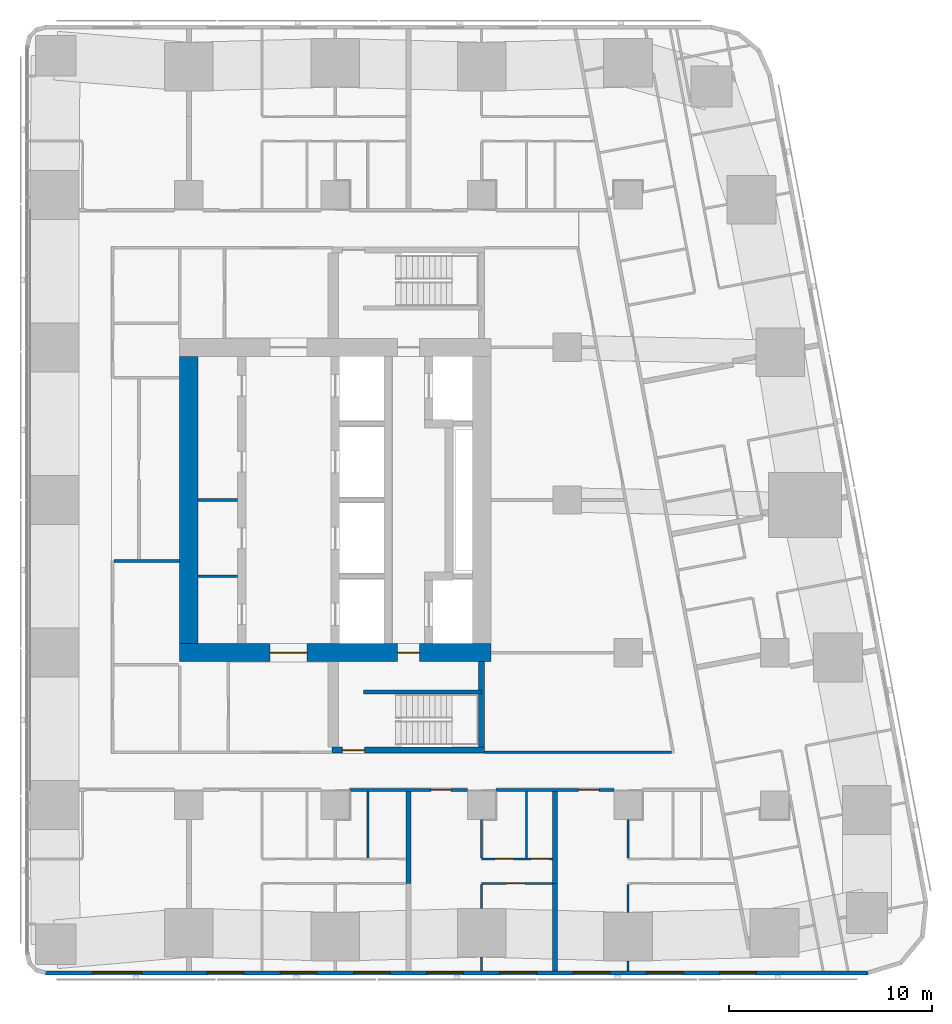
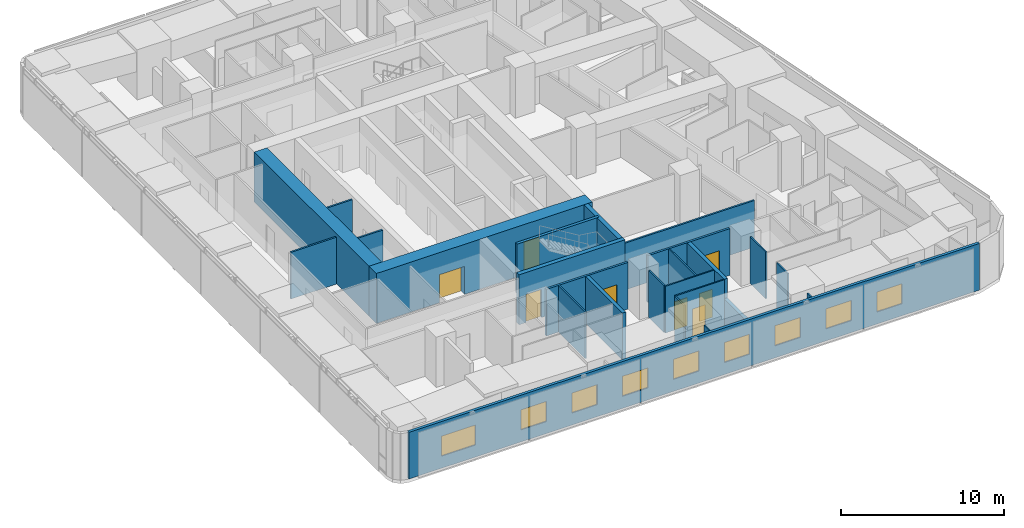
# One storey, part 11 of 19: 25 walls, 9 windows, 8 doors, 17 openings.
"""IFC4 building model written with IfcOpenShell, lengths in metres."""

from ifc_helpers import new_model, si_unit, direction, frame, frame_2d, origin, place, context, subcontext, project, spatial, rectangle, extrude, material, layer, layer_set, type_object, element, fill, save


model = new_model("IFC4")

# Units and contexts
model_context = context("Model", 3, precision=1e-05, world=origin(), true_north=direction((0.0, 1.0)))
body_context = subcontext(model_context, "Body", "Model", "MODEL_VIEW")
ifc_project = project(units=[si_unit("LENGTHUNIT", "METRE"), si_unit("AREAUNIT", "SQUARE_METRE"), si_unit("VOLUMEUNIT", "CUBIC_METRE"), si_unit("PLANEANGLEUNIT", "RADIAN"), si_unit("MASSUNIT", "GRAM", prefix="KILO")], contexts=[model_context])

# Site, building, storey
site_placement = place(None, origin())
site = spatial("IfcSite", under=ifc_project, at=site_placement, CompositionType="ELEMENT")
building_placement = place(site_placement, origin())
building = spatial("IfcBuilding", under=site, at=building_placement, Name="Sheger Commons Tower", CompositionType="ELEMENT")
storey_placement = place(building_placement, frame((0.0, 0.0, 219.949951171875)))
storey = spatial("IfcBuildingStorey", under=building, at=storey_placement, Name="L56", CompositionType="ELEMENT", Elevation=219.949951171875)

# Wall, openings, doors
ifc_material_1 = material(Name="Concrete C50/60", Category="concrete")
ifc_layer_1 = layer(ifc_material_1, 0.89990234375)
ifc_layer_set_1 = layer_set([ifc_layer_1], Name="CORE WALL 900")
wall_type_1 = type_object("IfcWallType", Name="CORE WALL 900", PredefinedType="SHEAR", material=ifc_layer_set_1)
wall_1_placement = place(storey_placement, frame((13.949951171875, 15.0, 0.0), z_axis=(0.0, 0.0, 1.0), x_axis=(1.0, 0.0, 0.0)))
wall_1 = element("IfcWall", 1, at=wall_1_placement, inside=storey, type_object=wall_type_1, Name="Core wall south L56", PredefinedType="SHEAR", context=body_context, shape_type="SweptSolid", body=[
    extrude(rectangle(XDim=15.300048828125, YDim=0.89990234375, at=frame_2d((7.64990234375, 0.0))), origin(), (0.0, 0.0, 1.0), 3.75),
])
opening_1_placement = place(wall_1_placement, frame((4.449951171875, 0.0, 0.0)))
opening_1 = element("IfcOpeningElement", 2, at=opening_1_placement, cuts=wall_1, Name="Opening D6", PredefinedType="OPENING", context=body_context, shape_type="SweptSolid", body=[
    extrude(rectangle(XDim=1.800048828125, YDim=2.10009765625, at=frame_2d((0.89990234375, 1.050048828125))), frame((0.0, 0.4599609375, 0.0), z_axis=(0.0, -1.0, 0.0), x_axis=(1.0, 0.0, 0.0)), (0.0, 0.0, 1.0), 0.919921875),
])
opening_2_placement = place(wall_1_placement, frame((10.699951171875, 0.0, 0.0)))
opening_2 = element("IfcOpeningElement", 3, at=opening_2_placement, cuts=wall_1, Name="Opening D5", PredefinedType="OPENING", context=body_context, shape_type="SweptSolid", body=[
    extrude(rectangle(XDim=1.10009765625, YDim=2.10009765625, at=frame_2d((0.550048828125, 1.050048828125))), frame((0.0, 0.4599609375, 0.0), z_axis=(0.0, -1.0, 0.0), x_axis=(1.0, 0.0, 0.0)), (0.0, 0.0, 1.0), 0.919921875),
])
ifc_material_2 = material(Name="Steel door set, fire rated", Category="steel")
door_type_1 = type_object("IfcDoorType", Name="LOBBY DOUBLE DOOR 1800x2100", OperationType="DOUBLE_DOOR_SINGLE_SWING", PredefinedType="DOOR", material=ifc_material_2)
door_1_placement = place(opening_1_placement, origin())
door_1 = element("IfcDoor", 4, at=door_1_placement, inside=storey, type_object=door_type_1, Name="Lift lobby door", OperationType="DOUBLE_DOOR_SINGLE_SWING", OverallHeight=2.10009765625, OverallWidth=1.800048828125, PredefinedType="DOOR", context=body_context, shape_type="SweptSolid", body=[
    extrude(rectangle(XDim=1.800048828125, YDim=2.10009765625, at=frame_2d((0.89990234375, 1.050048828125))), frame((0.0, 0.02490234375, 0.0), z_axis=(0.0, -1.0, 0.0), x_axis=(1.0, 0.0, 0.0)), (0.0, 0.0, 1.0), 0.050048828125),
])
fill(opening_1, door_1)
ifc_material_3 = material(Name="Steel door set, fire rated", Category="steel")
door_type_2 = type_object("IfcDoorType", Name="STAIR DOOR 1100x2100", OperationType="NOTDEFINED", PredefinedType="DOOR", material=ifc_material_3)
door_2_placement = place(opening_2_placement, origin())
door_2 = element("IfcDoor", 5, at=door_2_placement, inside=storey, type_object=door_type_2, Name="Fire-fighting lobby door", OperationType="SINGLE_SWING_LEFT", OverallHeight=2.10009765625, OverallWidth=1.10009765625, PredefinedType="DOOR", context=body_context, shape_type="SweptSolid", body=[
    extrude(rectangle(XDim=1.10009765625, YDim=2.10009765625, at=frame_2d((0.550048828125, 1.050048828125))), frame((0.0, 0.02490234375, 0.0), z_axis=(0.0, -1.0, 0.0), x_axis=(1.0, 0.0, 0.0)), (0.0, 0.0, 1.0), 0.050048828125),
])
fill(opening_2, door_2)

# Wall
wall_2_placement = place(storey_placement, frame((14.39990234375, 15.449951171875, 0.0), z_axis=(0.0, 0.0, 1.0), x_axis=(0.0, 1.0, 0.0)))
element("IfcWall", 6, at=wall_2_placement, inside=storey, type_object=wall_type_1, Name="Core wall west L56", PredefinedType="SHEAR", context=body_context, shape_type="SweptSolid", body=[
    extrude(rectangle(XDim=14.10009765625, YDim=0.89990234375, at=frame_2d((7.050048828125, 0.0))), origin(), (0.0, 0.0, 1.0), 3.75),
])

# Wall, opening, door
ifc_material_4 = material(Name="Hollow concrete block masonry, skimmed both sides", Category="masonry")
ifc_layer_2 = layer(ifc_material_4, 0.14990234375)
ifc_layer_set_2 = layer_set([ifc_layer_2], Name="CORRIDOR WALL 150")
wall_type_2 = type_object("IfcWallType", Name="CORRIDOR WALL 150", PredefinedType="SOLIDWALL", material=ifc_layer_set_2)
wall_3_placement = place(storey_placement, frame((35.299072265625, 8.25, 0.0), z_axis=(0.0, 0.0, 1.0), x_axis=(-1.0, 0.0, 0.0)))
wall_3 = element("IfcWall", 7, at=wall_3_placement, inside=storey, type_object=wall_type_2, Name="Corridor wall L56", PredefinedType="SOLIDWALL", context=body_context, shape_type="SweptSolid", body=[
    extrude(rectangle(XDim=5.798095703125, YDim=0.14990234375, at=frame_2d((2.89892578125, 0.0))), origin(), (0.0, 0.0, 1.0), 3.5),
])
opening_3_placement = place(wall_3_placement, frame((0.72802734375, 0.0, 0.0)))
opening_3 = element("IfcOpeningElement", 8, at=opening_3_placement, cuts=wall_3, Name="Opening D1", PredefinedType="OPENING", context=body_context, shape_type="SweptSolid", body=[
    extrude(rectangle(XDim=1.0, YDim=2.10009765625, at=frame_2d((0.5, 1.050048828125))), frame((0.0, 0.0849609375, 0.0), z_axis=(0.0, -1.0, 0.0), x_axis=(1.0, 0.0, 0.0)), (0.0, 0.0, 1.0), 0.169921875),
])
ifc_material_5 = material(Name="Steel door set, fire rated", Category="steel")
door_type_3 = type_object("IfcDoorType", Name="FLAT ENTRANCE DOOR 1000x2100", OperationType="NOTDEFINED", PredefinedType="DOOR", material=ifc_material_5)
door_3_placement = place(opening_3_placement, origin())
door_3 = element("IfcDoor", 9, at=door_3_placement, inside=storey, type_object=door_type_3, Name="Flat entrance door", OperationType="SINGLE_SWING_LEFT", OverallHeight=2.10009765625, OverallWidth=1.0, PredefinedType="DOOR", context=body_context, shape_type="SweptSolid", body=[
    extrude(rectangle(XDim=1.0, YDim=2.10009765625, at=frame_2d((0.5, 1.050048828125))), frame((0.0, 0.02490234375, 0.0), z_axis=(0.0, -1.0, 0.0), x_axis=(1.0, 0.0, 0.0)), (0.0, 0.0, 1.0), 0.050048828125),
])
fill(opening_3, door_3)

wall_4_placement = place(storey_placement, frame((28.09912109375, 8.25, 0.0), z_axis=(0.0, 0.0, 1.0), x_axis=(-1.0, 0.0, 0.0)))
wall_4 = element("IfcWall", 10, at=wall_4_placement, inside=storey, type_object=wall_type_2, Name="Corridor wall L56", PredefinedType="SOLIDWALL", context=body_context, shape_type="SweptSolid", body=[
    extrude(rectangle(XDim=5.798095703125, YDim=0.14990234375, at=frame_2d((2.89892578125, 0.0))), origin(), (0.0, 0.0, 1.0), 3.5),
])
opening_4_placement = place(wall_4_placement, frame((0.799072265625, 0.0, 0.0)))
opening_4 = element("IfcOpeningElement", 11, at=opening_4_placement, cuts=wall_4, Name="Opening D1", PredefinedType="OPENING", context=body_context, shape_type="SweptSolid", body=[
    extrude(rectangle(XDim=1.0, YDim=2.10009765625, at=frame_2d((0.5, 1.050048828125))), frame((0.0, 0.0849609375, 0.0), z_axis=(0.0, -1.0, 0.0), x_axis=(1.0, 0.0, 0.0)), (0.0, 0.0, 1.0), 0.169921875),
])
door_4_placement = place(opening_4_placement, origin())
door_4 = element("IfcDoor", 12, at=door_4_placement, inside=storey, type_object=door_type_3, Name="Flat entrance door", OperationType="SINGLE_SWING_LEFT", OverallHeight=2.10009765625, OverallWidth=1.0, PredefinedType="DOOR", context=body_context, shape_type="SweptSolid", body=[
    extrude(rectangle(XDim=1.0, YDim=2.10009765625, at=frame_2d((0.5, 1.050048828125))), frame((0.0, 0.02490234375, 0.0), z_axis=(0.0, -1.0, 0.0), x_axis=(1.0, 0.0, 0.0)), (0.0, 0.0, 1.0), 0.050048828125),
])
fill(opening_4, door_4)

# Walls
ifc_material_6 = material(Name="Dense concrete block masonry, plastered both sides (separating wall between flats)", Category="masonry")
ifc_layer_3 = layer(ifc_material_6, 0.25)
ifc_layer_set_3 = layer_set([ifc_layer_3], Name="DEMISING WALL 250")
wall_type_3 = type_object("IfcWallType", Name="DEMISING WALL 250", PredefinedType="SOLIDWALL", material=ifc_layer_set_3)
wall_5_placement = place(storey_placement, frame((25.199951171875, 3.64990234375, 0.0), z_axis=(0.0, 0.0, 1.0), x_axis=(0.0, 1.0, 0.0)))
element("IfcWall", 13, at=wall_5_placement, inside=storey, type_object=wall_type_3, Name="Demising wall L56", PredefinedType="SOLIDWALL", context=body_context, shape_type="SweptSolid", body=[
    extrude(rectangle(XDim=4.525146484375, YDim=0.25, at=frame_2d((2.2626953125, 0.0))), origin(), (0.0, 0.0, 1.0), 3.5),
])
wall_6_placement = place(storey_placement, frame((32.39990234375, -0.64990234375, 0.0), z_axis=(0.0, 0.0, 1.0), x_axis=(0.0, 1.0, 0.0)))
element("IfcWall", 14, at=wall_6_placement, inside=storey, type_object=wall_type_3, Name="Demising wall L56", PredefinedType="SOLIDWALL", context=body_context, shape_type="SweptSolid", body=[
    extrude(rectangle(XDim=4.2998046875, YDim=0.25, at=frame_2d((2.14990234375, 0.0))), origin(), (0.0, 0.0, 1.0), 2.050048828125),
])
wall_7_placement = place(storey_placement, frame((32.39990234375, 3.64990234375, 0.0), z_axis=(0.0, 0.0, 1.0), x_axis=(0.0, 1.0, 0.0)))
element("IfcWall", 15, at=wall_7_placement, inside=storey, type_object=wall_type_3, Name="Demising wall L56", PredefinedType="SOLIDWALL", context=body_context, shape_type="SweptSolid", body=[
    extrude(rectangle(XDim=4.525146484375, YDim=0.25, at=frame_2d((2.2626953125, 0.0))), origin(), (0.0, 0.0, 1.0), 3.5),
])

# Wall, openings, windows
ifc_material_7 = material(Name="Rendered concrete block masonry, dark grey", Category="masonry")
ifc_layer_4 = layer(ifc_material_7, 0.199951171875)
ifc_layer_set_4 = layer_set([ifc_layer_4], Name="FACADE WALL 200")
wall_type_4 = type_object("IfcWallType", Name="FACADE WALL 200", PredefinedType="SOLIDWALL", material=ifc_layer_set_4)
wall_8_placement = place(storey_placement, frame((7.363037109375, -0.75, 0.0), z_axis=(0.0, 0.0, 1.0), x_axis=(1.0, 0.0, 0.0)))
wall_8 = element("IfcWall", 16, at=wall_8_placement, inside=storey, type_object=wall_type_4, Name="Facade wall L56", PredefinedType="SOLIDWALL", context=body_context, shape_type="SweptSolid", body=[
    extrude(rectangle(XDim=40.427978515625, YDim=0.199951171875, at=frame_2d((20.2138671875, 0.0))), origin(), (0.0, 0.0, 1.0), 3.5),
])
opening_5_placement = place(wall_8_placement, frame((2.319091796875, 0.0, 0.89990234375)))
opening_5 = element("IfcOpeningElement", 17, at=opening_5_placement, cuts=wall_8, Name="Opening W1", PredefinedType="OPENING", context=body_context, shape_type="SweptSolid", body=[
    extrude(rectangle(XDim=2.39990234375, YDim=1.5, at=frame_2d((1.199951171875, 0.75))), frame((0.0, 0.10986328125, 0.0), z_axis=(0.0, -1.0, 0.0), x_axis=(1.0, 0.0, 0.0)), (0.0, 0.0, 1.0), 0.219970703125),
])
opening_6_placement = place(wall_8_placement, frame((7.93701171875, 0.0, 0.89990234375)))
opening_6 = element("IfcOpeningElement", 18, at=opening_6_placement, cuts=wall_8, Name="Opening W2", PredefinedType="OPENING", context=body_context, shape_type="SweptSolid", body=[
    extrude(rectangle(XDim=1.800048828125, YDim=1.5, at=frame_2d((0.89990234375, 0.75))), frame((0.0, 0.10986328125, 0.0), z_axis=(0.0, -1.0, 0.0), x_axis=(1.0, 0.0, 0.0)), (0.0, 0.0, 1.0), 0.219970703125),
])
opening_7_placement = place(wall_8_placement, frame((11.537109375, 0.0, 0.89990234375)))
opening_7 = element("IfcOpeningElement", 19, at=opening_7_placement, cuts=wall_8, Name="Opening W2", PredefinedType="OPENING", context=body_context, shape_type="SweptSolid", body=[
    extrude(rectangle(XDim=1.800048828125, YDim=1.5, at=frame_2d((0.89990234375, 0.75))), frame((0.0, 0.10986328125, 0.0), z_axis=(0.0, -1.0, 0.0), x_axis=(1.0, 0.0, 0.0)), (0.0, 0.0, 1.0), 0.219970703125),
])
opening_8_placement = place(wall_8_placement, frame((15.136962890625, 0.0, 0.89990234375)))
opening_8 = element("IfcOpeningElement", 20, at=opening_8_placement, cuts=wall_8, Name="Opening W2", PredefinedType="OPENING", context=body_context, shape_type="SweptSolid", body=[
    extrude(rectangle(XDim=1.800048828125, YDim=1.5, at=frame_2d((0.89990234375, 0.75))), frame((0.0, 0.10986328125, 0.0), z_axis=(0.0, -1.0, 0.0), x_axis=(1.0, 0.0, 0.0)), (0.0, 0.0, 1.0), 0.219970703125),
])
opening_9_placement = place(wall_8_placement, frame((18.737060546875, 0.0, 0.89990234375)))
opening_9 = element("IfcOpeningElement", 21, at=opening_9_placement, cuts=wall_8, Name="Opening W2", PredefinedType="OPENING", context=body_context, shape_type="SweptSolid", body=[
    extrude(rectangle(XDim=1.800048828125, YDim=1.5, at=frame_2d((0.89990234375, 0.75))), frame((0.0, 0.10986328125, 0.0), z_axis=(0.0, -1.0, 0.0), x_axis=(1.0, 0.0, 0.0)), (0.0, 0.0, 1.0), 0.219970703125),
])
opening_10_placement = place(wall_8_placement, frame((22.3369140625, 0.0, 0.89990234375)))
opening_10 = element("IfcOpeningElement", 22, at=opening_10_placement, cuts=wall_8, Name="Opening W2", PredefinedType="OPENING", context=body_context, shape_type="SweptSolid", body=[
    extrude(rectangle(XDim=1.800048828125, YDim=1.5, at=frame_2d((0.89990234375, 0.75))), frame((0.0, 0.10986328125, 0.0), z_axis=(0.0, -1.0, 0.0), x_axis=(1.0, 0.0, 0.0)), (0.0, 0.0, 1.0), 0.219970703125),
])
opening_11_placement = place(wall_8_placement, frame((25.93701171875, 0.0, 0.89990234375)))
opening_11 = element("IfcOpeningElement", 23, at=opening_11_placement, cuts=wall_8, Name="Opening W2", PredefinedType="OPENING", context=body_context, shape_type="SweptSolid", body=[
    extrude(rectangle(XDim=1.800048828125, YDim=1.5, at=frame_2d((0.89990234375, 0.75))), frame((0.0, 0.10986328125, 0.0), z_axis=(0.0, -1.0, 0.0), x_axis=(1.0, 0.0, 0.0)), (0.0, 0.0, 1.0), 0.219970703125),
])
opening_12_placement = place(wall_8_placement, frame((29.537109375, 0.0, 0.89990234375)))
opening_12 = element("IfcOpeningElement", 24, at=opening_12_placement, cuts=wall_8, Name="Opening W2", PredefinedType="OPENING", context=body_context, shape_type="SweptSolid", body=[
    extrude(rectangle(XDim=1.800048828125, YDim=1.5, at=frame_2d((0.89990234375, 0.75))), frame((0.0, 0.10986328125, 0.0), z_axis=(0.0, -1.0, 0.0), x_axis=(1.0, 0.0, 0.0)), (0.0, 0.0, 1.0), 0.219970703125),
])
opening_13_placement = place(wall_8_placement, frame((33.136962890625, 0.0, 0.89990234375)))
opening_13 = element("IfcOpeningElement", 25, at=opening_13_placement, cuts=wall_8, Name="Opening W2", PredefinedType="OPENING", context=body_context, shape_type="SweptSolid", body=[
    extrude(rectangle(XDim=1.800048828125, YDim=1.5, at=frame_2d((0.89990234375, 0.75))), frame((0.0, 0.10986328125, 0.0), z_axis=(0.0, -1.0, 0.0), x_axis=(1.0, 0.0, 0.0)), (0.0, 0.0, 1.0), 0.219970703125),
])
ifc_material_8 = material(Name="Black aluminium frame, dark tinted double glazing", Category="aluminium")
window_type_1 = type_object("IfcWindowType", Name="WINDOW W1 2400x1500", PartitioningType="SINGLE_PANEL", PredefinedType="WINDOW", material=ifc_material_8)
window_1_placement = place(opening_5_placement, origin())
window_1 = element("IfcWindow", 26, at=window_1_placement, inside=storey, type_object=window_type_1, Name="Window W1 2400X1500", OverallHeight=1.5, OverallWidth=2.39990234375, PartitioningType="SINGLE_PANEL", PredefinedType="WINDOW", context=body_context, shape_type="SweptSolid", body=[
    extrude(rectangle(XDim=2.39990234375, YDim=1.5, at=frame_2d((1.199951171875, 0.75))), frame((0.0, 0.030029296875, 0.0), z_axis=(0.0, -1.0, 0.0), x_axis=(1.0, 0.0, 0.0)), (0.0, 0.0, 1.0), 0.06005859375),
])
fill(opening_5, window_1)
ifc_material_9 = material(Name="Black aluminium frame, dark tinted double glazing", Category="aluminium")
window_type_2 = type_object("IfcWindowType", Name="WINDOW W2 1800x1500", PartitioningType="SINGLE_PANEL", PredefinedType="WINDOW", material=ifc_material_9)
window_2_placement = place(opening_6_placement, origin())
window_2 = element("IfcWindow", 27, at=window_2_placement, inside=storey, type_object=window_type_2, Name="Window W2 1800X1500", OverallHeight=1.5, OverallWidth=1.800048828125, PartitioningType="SINGLE_PANEL", PredefinedType="WINDOW", context=body_context, shape_type="SweptSolid", body=[
    extrude(rectangle(XDim=1.800048828125, YDim=1.5, at=frame_2d((0.89990234375, 0.75))), frame((0.0, 0.030029296875, 0.0), z_axis=(0.0, -1.0, 0.0), x_axis=(1.0, 0.0, 0.0)), (0.0, 0.0, 1.0), 0.06005859375),
])
fill(opening_6, window_2)
window_3_placement = place(opening_7_placement, origin())
window_3 = element("IfcWindow", 28, at=window_3_placement, inside=storey, type_object=window_type_2, Name="Window W2 1800X1500", OverallHeight=1.5, OverallWidth=1.800048828125, PartitioningType="SINGLE_PANEL", PredefinedType="WINDOW", context=body_context, shape_type="SweptSolid", body=[
    extrude(rectangle(XDim=1.800048828125, YDim=1.5, at=frame_2d((0.89990234375, 0.75))), frame((0.0, 0.030029296875, 0.0), z_axis=(0.0, -1.0, 0.0), x_axis=(1.0, 0.0, 0.0)), (0.0, 0.0, 1.0), 0.06005859375),
])
fill(opening_7, window_3)
window_4_placement = place(opening_8_placement, origin())
window_4 = element("IfcWindow", 29, at=window_4_placement, inside=storey, type_object=window_type_2, Name="Window W2 1800X1500", OverallHeight=1.5, OverallWidth=1.800048828125, PartitioningType="SINGLE_PANEL", PredefinedType="WINDOW", context=body_context, shape_type="SweptSolid", body=[
    extrude(rectangle(XDim=1.800048828125, YDim=1.5, at=frame_2d((0.89990234375, 0.75))), frame((0.0, 0.030029296875, 0.0), z_axis=(0.0, -1.0, 0.0), x_axis=(1.0, 0.0, 0.0)), (0.0, 0.0, 1.0), 0.06005859375),
])
fill(opening_8, window_4)
window_5_placement = place(opening_9_placement, origin())
window_5 = element("IfcWindow", 30, at=window_5_placement, inside=storey, type_object=window_type_2, Name="Window W2 1800X1500", OverallHeight=1.5, OverallWidth=1.800048828125, PartitioningType="SINGLE_PANEL", PredefinedType="WINDOW", context=body_context, shape_type="SweptSolid", body=[
    extrude(rectangle(XDim=1.800048828125, YDim=1.5, at=frame_2d((0.89990234375, 0.75))), frame((0.0, 0.030029296875, 0.0), z_axis=(0.0, -1.0, 0.0), x_axis=(1.0, 0.0, 0.0)), (0.0, 0.0, 1.0), 0.06005859375),
])
fill(opening_9, window_5)
window_6_placement = place(opening_10_placement, origin())
window_6 = element("IfcWindow", 31, at=window_6_placement, inside=storey, type_object=window_type_2, Name="Window W2 1800X1500", OverallHeight=1.5, OverallWidth=1.800048828125, PartitioningType="SINGLE_PANEL", PredefinedType="WINDOW", context=body_context, shape_type="SweptSolid", body=[
    extrude(rectangle(XDim=1.800048828125, YDim=1.5, at=frame_2d((0.89990234375, 0.75))), frame((0.0, 0.030029296875, 0.0), z_axis=(0.0, -1.0, 0.0), x_axis=(1.0, 0.0, 0.0)), (0.0, 0.0, 1.0), 0.06005859375),
])
fill(opening_10, window_6)
window_7_placement = place(opening_11_placement, origin())
window_7 = element("IfcWindow", 32, at=window_7_placement, inside=storey, type_object=window_type_2, Name="Window W2 1800X1500", OverallHeight=1.5, OverallWidth=1.800048828125, PartitioningType="SINGLE_PANEL", PredefinedType="WINDOW", context=body_context, shape_type="SweptSolid", body=[
    extrude(rectangle(XDim=1.800048828125, YDim=1.5, at=frame_2d((0.89990234375, 0.75))), frame((0.0, 0.030029296875, 0.0), z_axis=(0.0, -1.0, 0.0), x_axis=(1.0, 0.0, 0.0)), (0.0, 0.0, 1.0), 0.06005859375),
])
fill(opening_11, window_7)
window_8_placement = place(opening_12_placement, origin())
window_8 = element("IfcWindow", 33, at=window_8_placement, inside=storey, type_object=window_type_2, Name="Window W2 1800X1500", OverallHeight=1.5, OverallWidth=1.800048828125, PartitioningType="SINGLE_PANEL", PredefinedType="WINDOW", context=body_context, shape_type="SweptSolid", body=[
    extrude(rectangle(XDim=1.800048828125, YDim=1.5, at=frame_2d((0.89990234375, 0.75))), frame((0.0, 0.030029296875, 0.0), z_axis=(0.0, -1.0, 0.0), x_axis=(1.0, 0.0, 0.0)), (0.0, 0.0, 1.0), 0.06005859375),
])
fill(opening_12, window_8)
window_9_placement = place(opening_13_placement, origin())
window_9 = element("IfcWindow", 34, at=window_9_placement, inside=storey, type_object=window_type_2, Name="Window W2 1800X1500", OverallHeight=1.5, OverallWidth=1.800048828125, PartitioningType="SINGLE_PANEL", PredefinedType="WINDOW", context=body_context, shape_type="SweptSolid", body=[
    extrude(rectangle(XDim=1.800048828125, YDim=1.5, at=frame_2d((0.89990234375, 0.75))), frame((0.0, 0.030029296875, 0.0), z_axis=(0.0, -1.0, 0.0), x_axis=(1.0, 0.0, 0.0)), (0.0, 0.0, 1.0), 0.06005859375),
])
fill(opening_13, window_9)

# Wall
ifc_material_10 = material(Name="Gypsum board on steel studs", Category="steel")
ifc_layer_5 = layer(ifc_material_10, 0.10009765625)
ifc_layer_set_5 = layer_set([ifc_layer_5], Name="PARTITION 100")
wall_type_5 = type_object("IfcWallType", Name="PARTITION 100", PredefinedType="PARTITIONING", material=ifc_layer_set_5)
wall_9_placement = place(storey_placement, frame((23.199951171875, 4.89990234375, 0.0), z_axis=(0.0, 0.0, 1.0), x_axis=(0.0, 1.0, 0.0)))
element("IfcWall", 35, at=wall_9_placement, inside=storey, type_object=wall_type_5, Name="Partition L56", PredefinedType="PARTITIONING", context=body_context, shape_type="SweptSolid", body=[
    extrude(rectangle(XDim=3.275146484375, YDim=0.10009765625, at=frame_2d((1.6376953125, 0.0))), origin(), (0.0, 0.0, 1.0), 3.5),
])

# Wall, opening, door
wall_10_placement = place(storey_placement, frame((32.27490234375, 3.64990234375, 0.0), z_axis=(0.0, 0.0, 1.0), x_axis=(-1.0, 0.0, 0.0)))
wall_10 = element("IfcWall", 36, at=wall_10_placement, inside=storey, type_object=wall_type_5, Name="Partition L56", PredefinedType="PARTITIONING", context=body_context, shape_type="SweptSolid", body=[
    extrude(rectangle(XDim=3.474853515625, YDim=0.10009765625, at=frame_2d((1.7373046875, 0.0))), origin(), (0.0, 0.0, 1.0), 3.5),
])
opening_14_placement = place(wall_10_placement, frame((1.35009765625, 0.0, 0.0)))
opening_14 = element("IfcOpeningElement", 37, at=opening_14_placement, cuts=wall_10, Name="Opening D2", PredefinedType="OPENING", context=body_context, shape_type="SweptSolid", body=[
    extrude(rectangle(XDim=0.89990234375, YDim=2.10009765625, at=frame_2d((0.449951171875, 1.050048828125))), frame((0.0, 0.06005859375, 0.0), z_axis=(0.0, -1.0, 0.0), x_axis=(1.0, 0.0, 0.0)), (0.0, 0.0, 1.0), 0.1201171875),
])
ifc_material_11 = material(Name="Timber door set", Category="wood")
door_type_4 = type_object("IfcDoorType", Name="INTERNAL DOOR 900x2100", OperationType="NOTDEFINED", PredefinedType="DOOR", material=ifc_material_11)
door_5_placement = place(opening_14_placement, origin())
door_5 = element("IfcDoor", 38, at=door_5_placement, inside=storey, type_object=door_type_4, Name="Main bedroom door", OperationType="SINGLE_SWING_RIGHT", OverallHeight=2.10009765625, OverallWidth=0.89990234375, PredefinedType="DOOR", context=body_context, shape_type="SweptSolid", body=[
    extrude(rectangle(XDim=0.89990234375, YDim=2.10009765625, at=frame_2d((0.449951171875, 1.050048828125))), frame((0.0, 0.02490234375, 0.0), z_axis=(0.0, -1.0, 0.0), x_axis=(1.0, 0.0, 0.0)), (0.0, 0.0, 1.0), 0.050048828125),
])
fill(opening_14, door_5)

# Wall, openings, doors
wall_11_placement = place(storey_placement, frame((32.27490234375, 4.85009765625, 0.0), z_axis=(0.0, 0.0, 1.0), x_axis=(-1.0, 0.0, 0.0)))
wall_11 = element("IfcWall", 39, at=wall_11_placement, inside=storey, type_object=wall_type_5, Name="Partition L56", PredefinedType="PARTITIONING", context=body_context, shape_type="SweptSolid", body=[
    extrude(rectangle(XDim=3.474853515625, YDim=0.10009765625, at=frame_2d((1.7373046875, 0.0))), origin(), (0.0, 0.0, 1.0), 3.5),
])
opening_15_placement = place(wall_11_placement, frame((1.919921875, 0.0, 0.0)))
opening_15 = element("IfcOpeningElement", 40, at=opening_15_placement, cuts=wall_11, Name="Opening D2", PredefinedType="OPENING", context=body_context, shape_type="SweptSolid", body=[
    extrude(rectangle(XDim=0.89990234375, YDim=2.10009765625, at=frame_2d((0.449951171875, 1.050048828125))), frame((0.0, 0.06005859375, 0.0), z_axis=(0.0, -1.0, 0.0), x_axis=(1.0, 0.0, 0.0)), (0.0, 0.0, 1.0), 0.1201171875),
])
opening_16_placement = place(wall_11_placement, frame((0.14990234375, 0.0, 0.0)))
opening_16 = element("IfcOpeningElement", 41, at=opening_16_placement, cuts=wall_11, Name="Opening D2", PredefinedType="OPENING", context=body_context, shape_type="SweptSolid", body=[
    extrude(rectangle(XDim=0.89990234375, YDim=2.10009765625, at=frame_2d((0.449951171875, 1.050048828125))), frame((0.0, 0.06005859375, 0.0), z_axis=(0.0, -1.0, 0.0), x_axis=(1.0, 0.0, 0.0)), (0.0, 0.0, 1.0), 0.1201171875),
])
door_6_placement = place(opening_15_placement, origin())
door_6 = element("IfcDoor", 42, at=door_6_placement, inside=storey, type_object=door_type_4, Name="Bathroom door", OperationType="SINGLE_SWING_LEFT", OverallHeight=2.10009765625, OverallWidth=0.89990234375, PredefinedType="DOOR", context=body_context, shape_type="SweptSolid", body=[
    extrude(rectangle(XDim=0.89990234375, YDim=2.10009765625, at=frame_2d((0.449951171875, 1.050048828125))), frame((0.0, 0.02490234375, 0.0), z_axis=(0.0, -1.0, 0.0), x_axis=(1.0, 0.0, 0.0)), (0.0, 0.0, 1.0), 0.050048828125),
])
fill(opening_15, door_6)
door_7_placement = place(opening_16_placement, origin())
door_7 = element("IfcDoor", 43, at=door_7_placement, inside=storey, type_object=door_type_4, Name="Store door", OperationType="SINGLE_SWING_RIGHT", OverallHeight=2.10009765625, OverallWidth=0.89990234375, PredefinedType="DOOR", context=body_context, shape_type="SweptSolid", body=[
    extrude(rectangle(XDim=0.89990234375, YDim=2.10009765625, at=frame_2d((0.449951171875, 1.050048828125))), frame((0.0, 0.02490234375, 0.0), z_axis=(0.0, -1.0, 0.0), x_axis=(1.0, 0.0, 0.0)), (0.0, 0.0, 1.0), 0.050048828125),
])
fill(opening_16, door_7)

# Walls
wall_12_placement = place(storey_placement, frame((28.800048828125, -0.64990234375, 0.0), z_axis=(0.0, 0.0, 1.0), x_axis=(0.0, 1.0, 0.0)))
element("IfcWall", 44, at=wall_12_placement, inside=storey, type_object=wall_type_5, Name="Partition L56", PredefinedType="PARTITIONING", context=body_context, shape_type="SweptSolid", body=[
    extrude(rectangle(XDim=0.673828125, YDim=0.10009765625, at=frame_2d((0.3369140625, 0.0))), origin(), (0.0, 0.0, 1.0), 3.5),
])
wall_13_placement = place(storey_placement, frame((28.800048828125, 2.426025390625, 0.0), z_axis=(0.0, 0.0, 1.0), x_axis=(0.0, 1.0, 0.0)))
element("IfcWall", 45, at=wall_13_placement, inside=storey, type_object=wall_type_5, Name="Partition L56", PredefinedType="PARTITIONING", context=body_context, shape_type="SweptSolid", body=[
    extrude(rectangle(XDim=1.174072265625, YDim=0.10009765625, at=frame_2d((0.5869140625, 0.0))), origin(), (0.0, 0.0, 1.0), 3.5),
])
wall_14_placement = place(storey_placement, frame((28.800048828125, 4.89990234375, 0.0), z_axis=(0.0, 0.0, 1.0), x_axis=(0.0, 1.0, 0.0)))
element("IfcWall", 46, at=wall_14_placement, inside=storey, type_object=wall_type_5, Name="Partition L56", PredefinedType="PARTITIONING", context=body_context, shape_type="SweptSolid", body=[
    extrude(rectangle(XDim=1.899169921875, YDim=0.10009765625, at=frame_2d((0.94970703125, 0.0))), origin(), (0.0, 0.0, 1.0), 3.5),
])
wall_15_placement = place(storey_placement, frame((31.010009765625, 4.89990234375, 0.0), z_axis=(0.0, 0.0, 1.0), x_axis=(0.0, 1.0, 0.0)))
element("IfcWall", 47, at=wall_15_placement, inside=storey, type_object=wall_type_5, Name="Partition L56", PredefinedType="PARTITIONING", context=body_context, shape_type="SweptSolid", body=[
    extrude(rectangle(XDim=3.275146484375, YDim=0.10009765625, at=frame_2d((1.6376953125, 0.0))), origin(), (0.0, 0.0, 1.0), 3.5),
])
wall_16_placement = place(storey_placement, frame((36.0, -0.64990234375, 0.0), z_axis=(0.0, 0.0, 1.0), x_axis=(0.0, 1.0, 0.0)))
element("IfcWall", 48, at=wall_16_placement, inside=storey, type_object=wall_type_5, Name="Partition L56", PredefinedType="PARTITIONING", context=body_context, shape_type="SweptSolid", body=[
    extrude(rectangle(XDim=0.473876953125, YDim=0.10009765625, at=frame_2d((0.23681640625, 0.0))), origin(), (0.0, 0.0, 1.0), 3.5),
])
wall_17_placement = place(storey_placement, frame((36.0, 2.22607421875, 0.0), z_axis=(0.0, 0.0, 1.0), x_axis=(0.0, 1.0, 0.0)))
element("IfcWall", 49, at=wall_17_placement, inside=storey, type_object=wall_type_5, Name="Partition L56", PredefinedType="PARTITIONING", context=body_context, shape_type="SweptSolid", body=[
    extrude(rectangle(XDim=1.3740234375, YDim=0.10009765625, at=frame_2d((0.68701171875, 0.0))), origin(), (0.0, 0.0, 1.0), 3.5),
])
wall_18_placement = place(storey_placement, frame((36.0, 4.89990234375, 0.0), z_axis=(0.0, 0.0, 1.0), x_axis=(0.0, 1.0, 0.0)))
element("IfcWall", 50, at=wall_18_placement, inside=storey, type_object=wall_type_5, Name="Partition L56", PredefinedType="PARTITIONING", context=body_context, shape_type="SweptSolid", body=[
    extrude(rectangle(XDim=1.899169921875, YDim=0.10009765625, at=frame_2d((0.94970703125, 0.0))), origin(), (0.0, 0.0, 1.0), 3.5),
])
ifc_material_12 = material(Name="Gypsum board on steel studs, two layers each side, fire rated", Category="steel")
ifc_layer_6 = layer(ifc_material_12, 0.125)
ifc_layer_set_6 = layer_set([ifc_layer_6], Name="SERVICE WALL 125")
wall_type_6 = type_object("IfcWallType", Name="SERVICE WALL 125", PredefinedType="PARTITIONING", material=ifc_layer_set_6)
wall_19_placement = place(storey_placement, frame((10.712890625, 19.5, 0.0), z_axis=(0.0, 0.0, 1.0), x_axis=(1.0, 0.0, 0.0)))
element("IfcWall", 51, at=wall_19_placement, inside=storey, type_object=wall_type_6, Name="Service room wall L56", PredefinedType="PARTITIONING", context=body_context, shape_type="SweptSolid", body=[
    extrude(rectangle(XDim=3.237060546875, YDim=0.125, at=frame_2d((1.61865234375, 0.0))), origin(), (0.0, 0.0, 1.0), 3.5),
])
wall_20_placement = place(storey_placement, frame((28.949951171875, 10.10009765625, 0.0), z_axis=(0.0, 0.0, 1.0), x_axis=(1.0, 0.0, 0.0)))
element("IfcWall", 52, at=wall_20_placement, inside=storey, type_object=wall_type_6, Name="Service room wall L56", PredefinedType="PARTITIONING", context=body_context, shape_type="SweptSolid", body=[
    extrude(rectangle(XDim=9.18798828125, YDim=0.125, at=frame_2d((4.593994140625, 0.0))), origin(), (0.0, 0.0, 1.0), 3.5),
])
for number, where, z_axis, x_axis, name in (
    (53, (14.85009765625, 18.75, 0.0), (0.0, 0.0, 1.0), (1.0, 0.0, 0.0), "Service room wall L56"),
    (54, (14.85009765625, 22.5, 0.0), (0.0, 0.0, 1.0), (1.0, 0.0, 0.0), "Service room wall L56"),
):
    element("IfcWall", number, at=place(storey_placement, frame(where, z_axis=z_axis, x_axis=x_axis)), inside=storey, type_object=wall_type_6, Name=name, PredefinedType="PARTITIONING", context=body_context, shape_type="SweptSolid", body=[
        extrude(rectangle(XDim=1.949951171875, YDim=0.125, at=frame_2d((0.97509765625, 0.0))), origin(), (0.0, 0.0, 1.0), 3.5),
    ])

# Wall, opening, door
ifc_material_13 = material(Name="Concrete C50/60", Category="concrete")
ifc_layer_7 = layer(ifc_material_13, 0.300048828125)
ifc_layer_set_7 = layer_set([ifc_layer_7], Name="STAIR CORE WALL 300")
wall_type_7 = type_object("IfcWallType", Name="STAIR CORE WALL 300", PredefinedType="SHEAR", material=ifc_layer_set_7)
wall_21_placement = place(storey_placement, frame((21.449951171875, 10.199951171875, 0.0), z_axis=(0.0, 0.0, 1.0), x_axis=(1.0, 0.0, 0.0)))
wall_21 = element("IfcWall", 55, at=wall_21_placement, inside=storey, type_object=wall_type_7, Name="STW-L56-S1S", PredefinedType="SHEAR", context=body_context, shape_type="SweptSolid", body=[
    extrude(rectangle(XDim=7.5, YDim=0.300048828125, at=frame_2d((3.75, 0.0))), origin(), (0.0, 0.0, 1.0), 3.75),
])
opening_17_placement = place(wall_21_placement, frame((0.5, 0.0, 0.0)))
opening_17 = element("IfcOpeningElement", 56, at=opening_17_placement, cuts=wall_21, Name="Opening D5", PredefinedType="OPENING", context=body_context, shape_type="SweptSolid", body=[
    extrude(rectangle(XDim=1.10009765625, YDim=2.10009765625, at=frame_2d((0.550048828125, 1.050048828125))), frame((0.0, 0.159912109375, 0.0), z_axis=(0.0, -1.0, 0.0), x_axis=(1.0, 0.0, 0.0)), (0.0, 0.0, 1.0), 0.320068359375),
])
door_8_placement = place(opening_17_placement, origin())
door_8 = element("IfcDoor", 57, at=door_8_placement, inside=storey, type_object=door_type_2, Name="Stair S1 door", OperationType="SINGLE_SWING_LEFT", OverallHeight=2.10009765625, OverallWidth=1.10009765625, PredefinedType="DOOR", context=body_context, shape_type="SweptSolid", body=[
    extrude(rectangle(XDim=1.10009765625, YDim=2.10009765625, at=frame_2d((0.550048828125, 1.050048828125))), frame((0.0, 0.02490234375, 0.0), z_axis=(0.0, -1.0, 0.0), x_axis=(1.0, 0.0, 0.0)), (0.0, 0.0, 1.0), 0.050048828125),
])
fill(opening_17, door_8)

# Walls
wall_22_placement = place(storey_placement, frame((28.800048828125, 10.35009765625, 0.0), z_axis=(0.0, 0.0, 1.0), x_axis=(0.0, 1.0, 0.0)))
element("IfcWall", 58, at=wall_22_placement, inside=storey, type_object=wall_type_7, Name="STW-L56-S1E", PredefinedType="SHEAR", context=body_context, shape_type="SweptSolid", body=[
    extrude(rectangle(XDim=4.199951171875, YDim=0.300048828125, at=frame_2d((2.10009765625, 0.0))), origin(), (0.0, 0.0, 1.0), 3.75),
])
ifc_material_14 = material(Name="Concrete C50/60", Category="concrete")
ifc_layer_8 = layer(ifc_material_14, 0.199951171875)
ifc_layer_set_8 = layer_set([ifc_layer_8], Name="STAIR SPINE WALL 200")
wall_type_8 = type_object("IfcWallType", Name="STAIR SPINE WALL 200", PredefinedType="SHEAR", material=ifc_layer_set_8)
wall_23_placement = place(storey_placement, frame((23.0, 13.050048828125, 0.0), z_axis=(0.0, 0.0, 1.0), x_axis=(1.0, 0.0, 0.0)))
element("IfcWall", 59, at=wall_23_placement, inside=storey, type_object=wall_type_8, Name="Stair spine wall L56", PredefinedType="SHEAR", context=body_context, shape_type="SweptSolid", body=[
    extrude(rectangle(XDim=5.800048828125, YDim=0.199951171875, at=frame_2d((2.89990234375, 0.0))), origin(), (0.0, 0.0, 1.0), 3.75),
])

save(model, "model.ifc")
